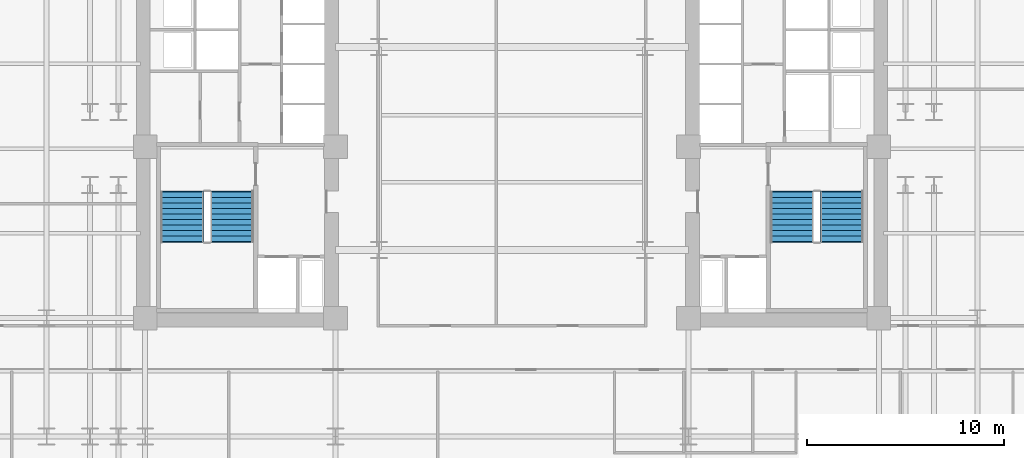
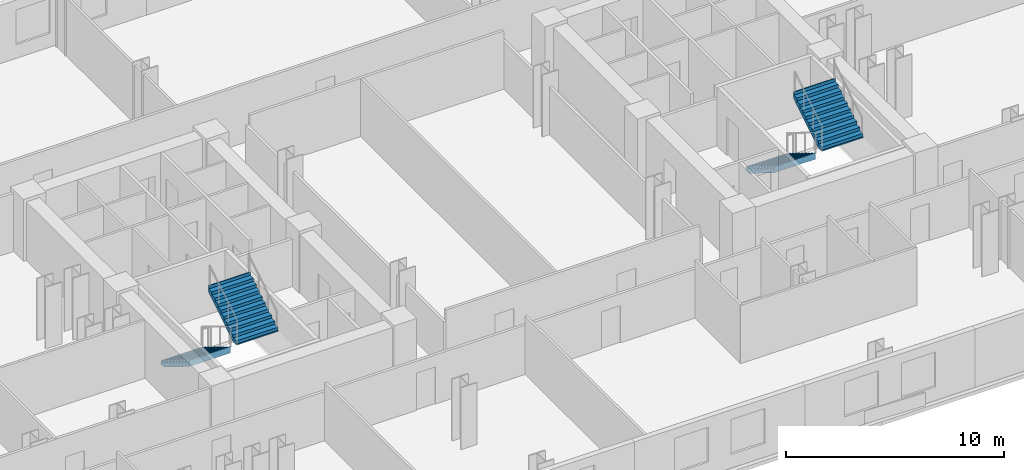
# One storey, part 8 of 10: 4 stair flights, 2 elements without a shape of their own.
"""IFC4 building model written with IfcOpenShell, lengths in metres."""

from ifc_helpers import new_model, si_unit, direction, frame, origin, place, context, subcontext, project, spatial, polyline, outline, extrude, material, layer, layer_set, type_object, element, aggregate, save


model = new_model("IFC4")

# Units and contexts
model_context = context("Model", 3, precision=1e-05, world=origin(), true_north=direction((0.0, 1.0)))
body_context = subcontext(model_context, "Body", "Model", "MODEL_VIEW")
ifc_project = project(units=[si_unit("LENGTHUNIT", "METRE"), si_unit("AREAUNIT", "SQUARE_METRE"), si_unit("VOLUMEUNIT", "CUBIC_METRE"), si_unit("PLANEANGLEUNIT", "RADIAN"), si_unit("MASSUNIT", "GRAM", prefix="KILO")], contexts=[model_context])

# Site, building, storey
site_placement = place(None, origin())
site = spatial("IfcSite", under=ifc_project, at=site_placement, CompositionType="ELEMENT")
building_placement = place(site_placement, origin())
building = spatial("IfcBuilding", under=site, at=building_placement, Name="Velakula Bourse", CompositionType="ELEMENT")
storey_placement = place(building_placement, frame((0.0, 0.0, 48.449951171875)))
storey = spatial("IfcBuildingStorey", under=building, at=storey_placement, Name="L12", CompositionType="ELEMENT", Elevation=48.449951171875)

# Stair, stair flights
ifc_material = material(Name="Concrete M45 (fck 45 MPa)", Category="concrete")
stair_type = type_object("IfcStairType", Name="STR-DOG-390", PredefinedType="HALF_TURN_STAIR", material=ifc_material)
stair_1_placement = place(storey_placement, origin())
stair_1 = element("IfcStair", 1, at=stair_1_placement, inside=storey, type_object=stair_type, Name="L12 West Core Exit Stair ST-W1", PredefinedType="HALF_TURN_STAIR")
ifc_layer = layer(ifc_material, 0.195068359375, Name="Concrete M45 (fck 45 MPa)", Category="concrete")
ifc_layer_set = layer_set([ifc_layer], Name="Concrete M45 (fck 45 MPa)")
stair_flight_type = type_object("IfcStairFlightType", Name="FLT-DOG-390", PredefinedType="STRAIGHT", material=ifc_layer_set)
stair_flight_1_placement = place(storey_placement, frame((-16.720947265625, -2.199951171875, 0.0), z_axis=(0.0, 0.0, 1.0), x_axis=(0.0, -1.0, 0.0)))
stair_flight_1 = element("IfcStairFlight", 2, at=stair_flight_1_placement, type_object=stair_flight_type, Name="ST-W1 flight 1", NumberOfRisers=10, NumberOfTreads=9, PredefinedType="STRAIGHT", RiserHeight=0.1725, TreadLength=0.28, context=body_context, shape_type="SweptSolid", body=[
    extrude(outline(polyline([(-0.044921875, -0.0400390625), (-0.044921875, -0.036865234375), (-0.044921875, -0.033935546875), (-0.044921875, -0.03076171875), (-0.044921875, -0.027587890625), (-0.044921875, -0.024658203125), (-0.044921875, -0.021484375), (-0.044921875, -0.0185546875), (-0.044921875, -0.015380859375), (-0.044921875, -0.01220703125), (-0.044921875, -0.00927734375), (-0.044921875, -0.006103515625), (-0.044921875, -0.003173828125), (-0.044921875, 0.0), (0.0, 0.0), (0.0, 0.172607421875), (0.280029296875, 0.172607421875), (0.280029296875, 0.344970703125), (0.56005859375, 0.344970703125), (0.56005859375, 0.517578125), (0.840087890625, 0.517578125), (0.840087890625, 0.68994140625), (1.1201171875, 0.68994140625), (1.1201171875, 0.862548828125), (1.39990234375, 0.862548828125), (1.39990234375, 1.034912109375), (1.679931640625, 1.034912109375), (1.679931640625, 1.20751953125), (1.9599609375, 1.20751953125), (1.9599609375, 1.3798828125), (2.239990234375, 1.3798828125), (2.239990234375, 1.552490234375), (2.52001953125, 1.552490234375), (2.52001953125, 1.72509765625), (2.56494140625, 1.72509765625), (2.56494140625, 1.7001953125), (2.56494140625, 1.67529296875), (2.56494140625, 1.650390625), (2.56494140625, 1.62548828125), (2.56494140625, 1.6005859375), (2.56494140625, 1.57568359375), (2.56494140625, 1.55078125), (2.56494140625, 1.52587890625), (2.56494140625, 1.5009765625), (2.56494140625, 1.47607421875), (2.56494140625, 1.451171875), (2.56494140625, 1.42626953125), (2.56494140625, 1.4013671875), (2.56494140625, 1.37646484375), (0.285888671875, -0.0400390625), (-0.044921875, -0.0400390625)])), frame((0.0, 1.09912109375, 0.0), z_axis=(0.0, -1.0, 0.0), x_axis=(1.0, 0.0, 0.0)), (0.0, 0.0, 1.0), 2.197998046875),
])
stair_flight_2_placement = place(storey_placement, frame((-14.198974609375, -4.719970703125, 1.72509765625), z_axis=(0.0, 0.0, 1.0), x_axis=(0.0, 1.0, 0.0)))
stair_flight_2 = element("IfcStairFlight", 3, at=stair_flight_2_placement, type_object=stair_flight_type, Name="ST-W1 flight 2", NumberOfRisers=10, NumberOfTreads=9, PredefinedType="STRAIGHT", RiserHeight=0.1725, TreadLength=0.28, context=body_context, shape_type="SweptSolid", body=[
    extrude(outline(polyline([(-0.044921875, -0.0400390625), (-0.044921875, -0.036865234375), (-0.044921875, -0.033935546875), (-0.044921875, -0.03076171875), (-0.044921875, -0.027587890625), (-0.044921875, -0.024658203125), (-0.044921875, -0.021484375), (-0.044921875, -0.0185546875), (-0.044921875, -0.015380859375), (-0.044921875, -0.01220703125), (-0.044921875, -0.00927734375), (-0.044921875, -0.006103515625), (-0.044921875, -0.003173828125), (-0.044921875, 0.0), (0.0, 0.0), (0.0, 0.172607421875), (0.280029296875, 0.172607421875), (0.280029296875, 0.344970703125), (0.56005859375, 0.344970703125), (0.56005859375, 0.517578125), (0.840087890625, 0.517578125), (0.840087890625, 0.68994140625), (1.1201171875, 0.68994140625), (1.1201171875, 0.862548828125), (1.39990234375, 0.862548828125), (1.39990234375, 1.034912109375), (1.679931640625, 1.034912109375), (1.679931640625, 1.20751953125), (1.9599609375, 1.20751953125), (1.9599609375, 1.3798828125), (2.239990234375, 1.3798828125), (2.239990234375, 1.552490234375), (2.52001953125, 1.552490234375), (2.52001953125, 1.72509765625), (2.56494140625, 1.72509765625), (2.56494140625, 1.7001953125), (2.56494140625, 1.67529296875), (2.56494140625, 1.650390625), (2.56494140625, 1.62548828125), (2.56494140625, 1.6005859375), (2.56494140625, 1.57568359375), (2.56494140625, 1.55078125), (2.56494140625, 1.52587890625), (2.56494140625, 1.5009765625), (2.56494140625, 1.47607421875), (2.56494140625, 1.451171875), (2.56494140625, 1.42626953125), (2.56494140625, 1.4013671875), (2.56494140625, 1.37646484375), (0.285888671875, -0.0400390625), (-0.044921875, -0.0400390625)])), frame((0.0, 1.09912109375, 0.0), z_axis=(0.0, -1.0, 0.0), x_axis=(1.0, 0.0, 0.0)), (0.0, 0.0, 1.0), 2.197998046875),
])
aggregate(stair_1, [stair_flight_1, stair_flight_2])

stair_2_placement = place(storey_placement, origin())
stair_2 = element("IfcStair", 4, at=stair_2_placement, inside=storey, type_object=stair_type, Name="L12 East Core Exit Stair ST-E1", PredefinedType="HALF_TURN_STAIR")
stair_flight_3_placement = place(storey_placement, frame((14.198974609375, -2.199951171875, 0.0), z_axis=(0.0, 0.0, 1.0), x_axis=(0.0, -1.0, 0.0)))
stair_flight_3 = element("IfcStairFlight", 5, at=stair_flight_3_placement, type_object=stair_flight_type, Name="ST-E1 flight 1", NumberOfRisers=10, NumberOfTreads=9, PredefinedType="STRAIGHT", RiserHeight=0.1725, TreadLength=0.28, context=body_context, shape_type="SweptSolid", body=[
    extrude(outline(polyline([(-0.044921875, -0.0400390625), (-0.044921875, -0.036865234375), (-0.044921875, -0.033935546875), (-0.044921875, -0.03076171875), (-0.044921875, -0.027587890625), (-0.044921875, -0.024658203125), (-0.044921875, -0.021484375), (-0.044921875, -0.0185546875), (-0.044921875, -0.015380859375), (-0.044921875, -0.01220703125), (-0.044921875, -0.00927734375), (-0.044921875, -0.006103515625), (-0.044921875, -0.003173828125), (-0.044921875, 0.0), (0.0, 0.0), (0.0, 0.172607421875), (0.280029296875, 0.172607421875), (0.280029296875, 0.344970703125), (0.56005859375, 0.344970703125), (0.56005859375, 0.517578125), (0.840087890625, 0.517578125), (0.840087890625, 0.68994140625), (1.1201171875, 0.68994140625), (1.1201171875, 0.862548828125), (1.39990234375, 0.862548828125), (1.39990234375, 1.034912109375), (1.679931640625, 1.034912109375), (1.679931640625, 1.20751953125), (1.9599609375, 1.20751953125), (1.9599609375, 1.3798828125), (2.239990234375, 1.3798828125), (2.239990234375, 1.552490234375), (2.52001953125, 1.552490234375), (2.52001953125, 1.72509765625), (2.56494140625, 1.72509765625), (2.56494140625, 1.7001953125), (2.56494140625, 1.67529296875), (2.56494140625, 1.650390625), (2.56494140625, 1.62548828125), (2.56494140625, 1.6005859375), (2.56494140625, 1.57568359375), (2.56494140625, 1.55078125), (2.56494140625, 1.52587890625), (2.56494140625, 1.5009765625), (2.56494140625, 1.47607421875), (2.56494140625, 1.451171875), (2.56494140625, 1.42626953125), (2.56494140625, 1.4013671875), (2.56494140625, 1.37646484375), (0.285888671875, -0.0400390625), (-0.044921875, -0.0400390625)])), frame((0.0, 1.09912109375, 0.0), z_axis=(0.0, -1.0, 0.0), x_axis=(1.0, 0.0, 0.0)), (0.0, 0.0, 1.0), 2.197998046875),
])
stair_flight_4_placement = place(storey_placement, frame((16.720947265625, -4.719970703125, 1.72509765625), z_axis=(0.0, 0.0, 1.0), x_axis=(0.0, 1.0, 0.0)))
stair_flight_4 = element("IfcStairFlight", 6, at=stair_flight_4_placement, type_object=stair_flight_type, Name="ST-E1 flight 2", NumberOfRisers=10, NumberOfTreads=9, PredefinedType="STRAIGHT", RiserHeight=0.1725, TreadLength=0.28, context=body_context, shape_type="SweptSolid", body=[
    extrude(outline(polyline([(-0.044921875, -0.0400390625), (-0.044921875, -0.036865234375), (-0.044921875, -0.033935546875), (-0.044921875, -0.03076171875), (-0.044921875, -0.027587890625), (-0.044921875, -0.024658203125), (-0.044921875, -0.021484375), (-0.044921875, -0.0185546875), (-0.044921875, -0.015380859375), (-0.044921875, -0.01220703125), (-0.044921875, -0.00927734375), (-0.044921875, -0.006103515625), (-0.044921875, -0.003173828125), (-0.044921875, 0.0), (0.0, 0.0), (0.0, 0.172607421875), (0.280029296875, 0.172607421875), (0.280029296875, 0.344970703125), (0.56005859375, 0.344970703125), (0.56005859375, 0.517578125), (0.840087890625, 0.517578125), (0.840087890625, 0.68994140625), (1.1201171875, 0.68994140625), (1.1201171875, 0.862548828125), (1.39990234375, 0.862548828125), (1.39990234375, 1.034912109375), (1.679931640625, 1.034912109375), (1.679931640625, 1.20751953125), (1.9599609375, 1.20751953125), (1.9599609375, 1.3798828125), (2.239990234375, 1.3798828125), (2.239990234375, 1.552490234375), (2.52001953125, 1.552490234375), (2.52001953125, 1.72509765625), (2.56494140625, 1.72509765625), (2.56494140625, 1.7001953125), (2.56494140625, 1.67529296875), (2.56494140625, 1.650390625), (2.56494140625, 1.62548828125), (2.56494140625, 1.6005859375), (2.56494140625, 1.57568359375), (2.56494140625, 1.55078125), (2.56494140625, 1.52587890625), (2.56494140625, 1.5009765625), (2.56494140625, 1.47607421875), (2.56494140625, 1.451171875), (2.56494140625, 1.42626953125), (2.56494140625, 1.4013671875), (2.56494140625, 1.37646484375), (0.285888671875, -0.0400390625), (-0.044921875, -0.0400390625)])), frame((0.0, 1.09912109375, 0.0), z_axis=(0.0, -1.0, 0.0), x_axis=(1.0, 0.0, 0.0)), (0.0, 0.0, 1.0), 2.197998046875),
])
aggregate(stair_2, [stair_flight_3, stair_flight_4])

save(model, "model.ifc")
